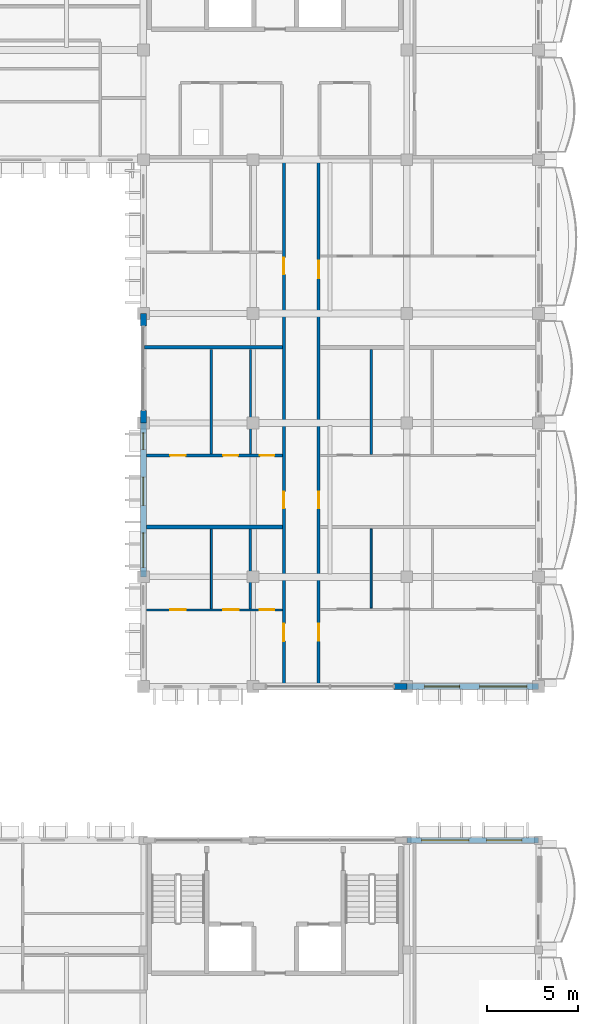
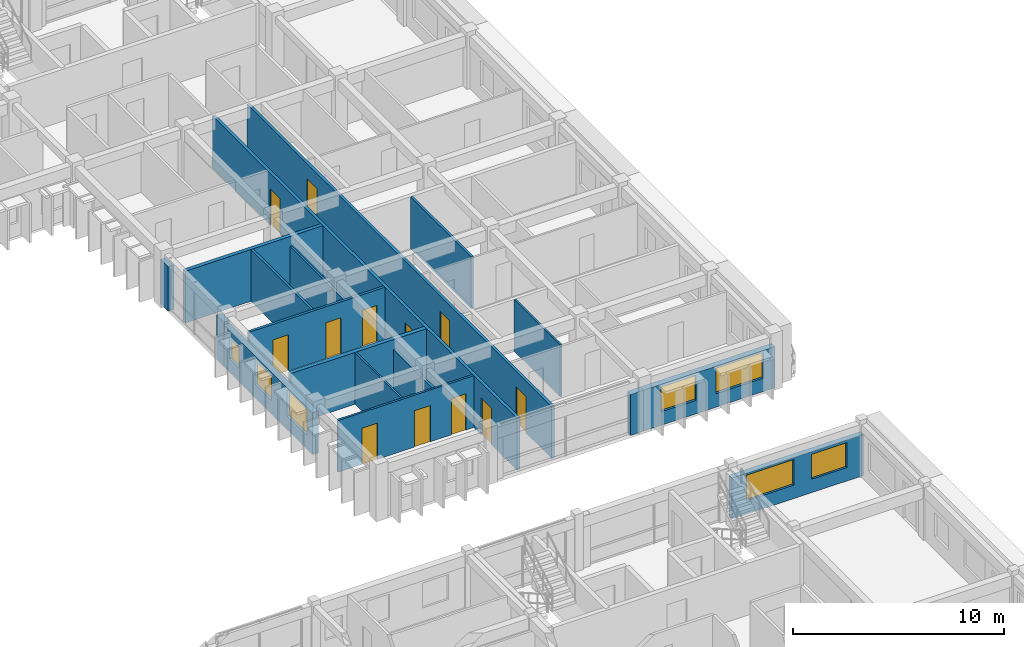
# One storey, part 43 of 76: 18 walls, 12 doors, 7 windows, 19 openings.
"""IFC4 building model written with IfcOpenShell, lengths in metres."""

from ifc_helpers import new_model, si_unit, direction, frame, frame_2d, origin, place, context, subcontext, project, spatial, rectangle, extrude, material, layer, layer_set, type_object, element, fill, save


model = new_model("IFC4")

# Units and contexts
model_context = context("Model", 3, precision=1e-05, world=origin(), true_north=direction((0.0, 1.0)))
body_context = subcontext(model_context, "Body", "Model", "MODEL_VIEW")
ifc_project = project(units=[si_unit("LENGTHUNIT", "METRE"), si_unit("AREAUNIT", "SQUARE_METRE"), si_unit("VOLUMEUNIT", "CUBIC_METRE"), si_unit("PLANEANGLEUNIT", "RADIAN"), si_unit("MASSUNIT", "GRAM", prefix="KILO"), si_unit("THERMODYNAMICTEMPERATUREUNIT", "KELVIN")], contexts=[model_context])

# Site, building, storey
site_placement = place(None, origin())
site = spatial("IfcSite", under=ifc_project, at=site_placement, CompositionType="ELEMENT")
building_placement = place(site_placement, origin())
building = spatial("IfcBuilding", under=site, at=building_placement, Name="Thalorik Housing Commons", CompositionType="ELEMENT")
storey_placement = place(building_placement, frame((0.0, 0.0, 18.0)))
storey = spatial("IfcBuildingStorey", under=building, at=storey_placement, Name="L05", CompositionType="ELEMENT", Elevation=18.0)

# Wall, openings, doors
ifc_material_1 = material(Name="Masonry fire-rated corridor wall", Category="masonry")
ifc_layer_1 = layer(ifc_material_1, 0.14990234375, Name="Masonry fire-rated corridor wall", Category="masonry")
ifc_layer_set_1 = layer_set([ifc_layer_1], Name="Masonry fire-rated corridor wall")
wall_type_1 = type_object("IfcWallType", Name="ARC-WAL-CORR-150", PredefinedType="PARTITIONING", material=ifc_layer_set_1)
wall_1_placement = place(storey_placement, frame((161.97998046875, 80.4599609375, 0.0), z_axis=(0.0, 0.0, 1.0), x_axis=(0.0, 1.0, 0.0)))
wall_1 = element("IfcWall", 1, at=wall_1_placement, inside=storey, type_object=wall_type_1, Name="L05 Block B E Corridor Wall 2", PredefinedType="PARTITIONING", context=body_context, shape_type="SweptSolid", body=[
    extrude(rectangle(XDim=28.880126953125, YDim=0.14990234375, at=frame_2d((14.43994140625, 0.0))), origin(), (0.0, 0.0, 1.0), 3.0),
])
opening_1_placement = place(wall_1_placement, frame((2.441162109375, 0.0, 0.0)))
opening_1 = element("IfcOpeningElement", 2, at=opening_1_placement, cuts=wall_1, Name="Opening ID-1218", PredefinedType="OPENING", context=body_context, shape_type="SweptSolid", body=[
    extrude(rectangle(XDim=0.919921875, YDim=2.10009765625, at=frame_2d((0.4599609375, 1.050048828125))), frame((0.0, 0.0849609375, 0.0), z_axis=(0.0, -1.0, 0.0), x_axis=(1.0, 0.0, 0.0)), (0.0, 0.0, 1.0), 0.169921875),
])
opening_2_placement = place(wall_1_placement, frame((9.6767578125, 0.0, 0.0)))
opening_2 = element("IfcOpeningElement", 3, at=opening_2_placement, cuts=wall_1, Name="Opening ID-1219", PredefinedType="OPENING", context=body_context, shape_type="SweptSolid", body=[
    extrude(rectangle(XDim=0.919921875, YDim=2.10009765625, at=frame_2d((0.4599609375, 1.050048828125))), frame((0.0, 0.0849609375, 0.0), z_axis=(0.0, -1.0, 0.0), x_axis=(1.0, 0.0, 0.0)), (0.0, 0.0, 1.0), 0.169921875),
])
opening_3_placement = place(wall_1_placement, frame((22.261962890625, 0.0, 0.0)))
opening_3 = element("IfcOpeningElement", 4, at=opening_3_placement, cuts=wall_1, Name="Opening ID-1220", PredefinedType="OPENING", context=body_context, shape_type="SweptSolid", body=[
    extrude(rectangle(XDim=0.9599609375, YDim=2.1201171875, at=frame_2d((0.47998046875, 1.06005859375))), frame((0.0, 0.0849609375, 0.0), z_axis=(0.0, -1.0, 0.0), x_axis=(1.0, 0.0, 0.0)), (0.0, 0.0, 1.0), 0.169921875),
])
ifc_material_2 = material(Name="Solid core hardwood timber", Category="wood")
door_type_1 = type_object("IfcDoorType", Name="ARC-DR-FD30-920", OperationType="NOTDEFINED", PredefinedType="DOOR", material=ifc_material_2)
door_1_placement = place(opening_1_placement, origin())
door_1 = element("IfcDoor", 5, at=door_1_placement, inside=storey, type_object=door_type_1, Name="L05 Flat BE-1B Entrance Door", OperationType="SINGLE_SWING_LEFT", OverallHeight=2.10009765625, OverallWidth=0.919921875, PredefinedType="DOOR", context=body_context, shape_type="SweptSolid", body=[
    extrude(rectangle(XDim=0.919921875, YDim=2.10009765625, at=frame_2d((0.4599609375, 1.050048828125))), frame((0.0, 0.02490234375, 0.0), z_axis=(0.0, -1.0, 0.0), x_axis=(1.0, 0.0, 0.0)), (0.0, 0.0, 1.0), 0.050048828125),
])
fill(opening_1, door_1)
door_2_placement = place(opening_2_placement, origin())
door_2 = element("IfcDoor", 6, at=door_2_placement, inside=storey, type_object=door_type_1, Name="L05 Flat BE-2B Entrance Door", OperationType="SINGLE_SWING_RIGHT", OverallHeight=2.10009765625, OverallWidth=0.919921875, PredefinedType="DOOR", context=body_context, shape_type="SweptSolid", body=[
    extrude(rectangle(XDim=0.919921875, YDim=2.10009765625, at=frame_2d((0.4599609375, 1.050048828125))), frame((0.0, 0.02490234375, 0.0), z_axis=(0.0, -1.0, 0.0), x_axis=(1.0, 0.0, 0.0)), (0.0, 0.0, 1.0), 0.050048828125),
])
fill(opening_2, door_2)
door_type_2 = type_object("IfcDoorType", Name="ARC-DR-FD30-960", OperationType="NOTDEFINED", PredefinedType="DOOR", material=ifc_material_2)
door_3_placement = place(opening_3_placement, origin())
door_3 = element("IfcDoor", 7, at=door_3_placement, inside=storey, type_object=door_type_2, Name="L05 Flat BE-3B Entrance Door", OperationType="SINGLE_SWING_LEFT", OverallHeight=2.1201171875, OverallWidth=0.9599609375, PredefinedType="DOOR", context=body_context, shape_type="SweptSolid", body=[
    extrude(rectangle(XDim=0.9599609375, YDim=2.1201171875, at=frame_2d((0.47998046875, 1.06005859375))), frame((0.0, 0.02490234375, 0.0), z_axis=(0.0, -1.0, 0.0), x_axis=(1.0, 0.0, 0.0)), (0.0, 0.0, 1.0), 0.050048828125),
])
fill(opening_3, door_3)

ifc_layer_2 = layer(ifc_material_1, 0.1650390625, Name="Masonry fire-rated corridor wall", Category="masonry")
ifc_layer_set_2 = layer_set([ifc_layer_2], Name="Masonry fire-rated corridor wall")
wall_type_2 = type_object("IfcWallType", Name="ARC-WAL-CORR-165", PredefinedType="PARTITIONING", material=ifc_layer_set_2)
wall_2_placement = place(storey_placement, frame((160.080078125, 80.4599609375, 0.0), z_axis=(0.0, 0.0, 1.0), x_axis=(0.0, 1.0, 0.0)))
wall_2 = element("IfcWall", 8, at=wall_2_placement, inside=storey, type_object=wall_type_2, Name="L05 Block B E Corridor Wall 1", PredefinedType="PARTITIONING", context=body_context, shape_type="SweptSolid", body=[
    extrude(rectangle(XDim=28.880126953125, YDim=0.1650390625, at=frame_2d((14.43994140625, 0.0))), origin(), (0.0, 0.0, 1.0), 3.0),
])
opening_4_placement = place(wall_2_placement, frame((2.41943359375, 0.0, 0.0)))
opening_4 = element("IfcOpeningElement", 9, at=opening_4_placement, cuts=wall_2, Name="Opening ID-1215", PredefinedType="OPENING", context=body_context, shape_type="SweptSolid", body=[
    extrude(rectangle(XDim=0.9599609375, YDim=2.1201171875, at=frame_2d((0.47998046875, 1.06005859375))), frame((0.0, 0.092529296875, 0.0), z_axis=(0.0, -1.0, 0.0), x_axis=(1.0, 0.0, 0.0)), (0.0, 0.0, 1.0), 0.18505859375),
])
opening_5_placement = place(wall_2_placement, frame((9.675537109375, 0.0, 0.0)))
opening_5 = element("IfcOpeningElement", 10, at=opening_5_placement, cuts=wall_2, Name="Opening ID-1216", PredefinedType="OPENING", context=body_context, shape_type="SweptSolid", body=[
    extrude(rectangle(XDim=0.919921875, YDim=2.10009765625, at=frame_2d((0.4599609375, 1.050048828125))), frame((0.0, 0.092529296875, 0.0), z_axis=(0.0, -1.0, 0.0), x_axis=(1.0, 0.0, 0.0)), (0.0, 0.0, 1.0), 0.18505859375),
])
opening_6_placement = place(wall_2_placement, frame((22.469970703125, 0.0, 0.0)))
opening_6 = element("IfcOpeningElement", 11, at=opening_6_placement, cuts=wall_2, Name="Opening ID-1217", PredefinedType="OPENING", context=body_context, shape_type="SweptSolid", body=[
    extrude(rectangle(XDim=0.919921875, YDim=2.10009765625, at=frame_2d((0.4599609375, 1.050048828125))), frame((0.0, 0.092529296875, 0.0), z_axis=(0.0, -1.0, 0.0), x_axis=(1.0, 0.0, 0.0)), (0.0, 0.0, 1.0), 0.18505859375),
])
door_4_placement = place(opening_5_placement, origin())
door_4 = element("IfcDoor", 12, at=door_4_placement, inside=storey, type_object=door_type_1, Name="L05 Flat BE-2A Entrance Door", OperationType="SINGLE_SWING_LEFT", OverallHeight=2.10009765625, OverallWidth=0.919921875, PredefinedType="DOOR", context=body_context, shape_type="SweptSolid", body=[
    extrude(rectangle(XDim=0.919921875, YDim=2.10009765625, at=frame_2d((0.4599609375, 1.050048828125))), frame((0.0, 0.02490234375, 0.0), z_axis=(0.0, -1.0, 0.0), x_axis=(1.0, 0.0, 0.0)), (0.0, 0.0, 1.0), 0.050048828125),
])
fill(opening_5, door_4)
door_5_placement = place(opening_6_placement, origin())
door_5 = element("IfcDoor", 13, at=door_5_placement, inside=storey, type_object=door_type_1, Name="L05 Flat BE-3A Entrance Door", OperationType="SINGLE_SWING_RIGHT", OverallHeight=2.10009765625, OverallWidth=0.919921875, PredefinedType="DOOR", context=body_context, shape_type="SweptSolid", body=[
    extrude(rectangle(XDim=0.919921875, YDim=2.10009765625, at=frame_2d((0.4599609375, 1.050048828125))), frame((0.0, 0.02490234375, 0.0), z_axis=(0.0, -1.0, 0.0), x_axis=(1.0, 0.0, 0.0)), (0.0, 0.0, 1.0), 0.050048828125),
])
fill(opening_6, door_5)
door_6_placement = place(opening_4_placement, origin())
door_6 = element("IfcDoor", 14, at=door_6_placement, inside=storey, type_object=door_type_2, Name="L05 Flat BE-1A Entrance Door", OperationType="SINGLE_SWING_RIGHT", OverallHeight=2.1201171875, OverallWidth=0.9599609375, PredefinedType="DOOR", context=body_context, shape_type="SweptSolid", body=[
    extrude(rectangle(XDim=0.9599609375, YDim=2.1201171875, at=frame_2d((0.47998046875, 1.06005859375))), frame((0.0, 0.02490234375, 0.0), z_axis=(0.0, -1.0, 0.0), x_axis=(1.0, 0.0, 0.0)), (0.0, 0.0, 1.0), 0.050048828125),
])
fill(opening_4, door_6)

# Wall, openings, windows
ifc_material_3 = material(Name="White precast concrete C40/50", Category="concrete")
ifc_layer_3 = layer(ifc_material_3, 0.2900390625, Name="White precast concrete C40/50", Category="concrete")
ifc_layer_set_3 = layer_set([ifc_layer_3], Name="White precast concrete C40/50")
wall_type_3 = type_object("IfcWallType", Name="ARC-WAL-EXT-290", PredefinedType="STANDARD", material=ifc_layer_set_3)
wall_3_placement = place(storey_placement, frame((174.0, 72.0, 0.0), z_axis=(0.0, 0.0, 1.0), x_axis=(-1.0, 0.0, 0.0)))
wall_3 = element("IfcWall", 15, at=wall_3_placement, inside=storey, type_object=wall_type_3, Name="L05 Exterior Wall WAL-EXT-L05-D-1222", PredefinedType="STANDARD", context=body_context, shape_type="SweptSolid", body=[
    extrude(rectangle(XDim=7.199951171875, YDim=0.2900390625, at=frame_2d((3.60009765625, 0.0))), origin(), (0.0, 0.0, 1.0), 2.375),
])
opening_7_placement = place(wall_3_placement, frame((0.91259765625, 0.0, 0.780029296875)))
opening_7 = element("IfcOpeningElement", 16, at=opening_7_placement, cuts=wall_3, Name="Opening W-60", PredefinedType="OPENING", context=body_context, shape_type="SweptSolid", body=[
    extrude(rectangle(XDim=1.919921875, YDim=1.43994140625, at=frame_2d((0.9599609375, 0.719970703125))), frame((0.0, 0.155029296875, 0.0), z_axis=(0.0, -1.0, 0.0), x_axis=(1.0, 0.0, 0.0)), (0.0, 0.0, 1.0), 0.31005859375),
])
opening_8_placement = place(wall_3_placement, frame((3.8076171875, 0.0, 0.780029296875)))
opening_8 = element("IfcOpeningElement", 17, at=opening_8_placement, cuts=wall_3, Name="Opening W-73", PredefinedType="OPENING", context=body_context, shape_type="SweptSolid", body=[
    extrude(rectangle(XDim=2.580078125, YDim=1.47998046875, at=frame_2d((1.2900390625, 0.739990234375))), frame((0.0, 0.155029296875, 0.0), z_axis=(0.0, -1.0, 0.0), x_axis=(1.0, 0.0, 0.0)), (0.0, 0.0, 1.0), 0.31005859375),
])
ifc_material_4 = material(Name="Anodised aluminium and solar-control low-E glass", Category="aluminium")
window_type_1 = type_object("IfcWindowType", Name="ARC-WIN-60", PartitioningType="DOUBLE_PANEL_VERTICAL", PredefinedType="WINDOW", material=ifc_material_4)
window_1_placement = place(opening_7_placement, origin())
window_1 = element("IfcWindow", 18, at=window_1_placement, inside=storey, type_object=window_type_1, Name="L05 Facade Window 2231", OverallHeight=1.43994140625, OverallWidth=1.919921875, PartitioningType="DOUBLE_PANEL_VERTICAL", PredefinedType="WINDOW", context=body_context, shape_type="SweptSolid", body=[
    extrude(rectangle(XDim=1.919921875, YDim=1.43994140625, at=frame_2d((0.9599609375, 0.719970703125))), frame((0.0, 0.030029296875, 0.0), z_axis=(0.0, -1.0, 0.0), x_axis=(1.0, 0.0, 0.0)), (0.0, 0.0, 1.0), 0.06005859375),
])
fill(opening_7, window_1)
window_type_2 = type_object("IfcWindowType", Name="ARC-WIN-73", PartitioningType="DOUBLE_PANEL_VERTICAL", PredefinedType="WINDOW", material=ifc_material_4)
window_2_placement = place(opening_8_placement, origin())
window_2 = element("IfcWindow", 19, at=window_2_placement, inside=storey, type_object=window_type_2, Name="L05 Facade Window 2232", OverallHeight=1.47998046875, OverallWidth=2.580078125, PartitioningType="DOUBLE_PANEL_VERTICAL", PredefinedType="WINDOW", context=body_context, shape_type="SweptSolid", body=[
    extrude(rectangle(XDim=2.580078125, YDim=1.47998046875, at=frame_2d((1.2900390625, 0.739990234375))), frame((0.0, 0.030029296875, 0.0), z_axis=(0.0, -1.0, 0.0), x_axis=(1.0, 0.0, 0.0)), (0.0, 0.0, 1.0), 0.06005859375),
])
fill(opening_8, window_2)

# Walls
ifc_layer_4 = layer(ifc_material_3, 0.320068359375, Name="White precast concrete C40/50", Category="concrete")
ifc_layer_set_4 = layer_set([ifc_layer_4], Name="White precast concrete C40/50")
wall_type_4 = type_object("IfcWallType", Name="ARC-WAL-EXT-320", PredefinedType="STANDARD", material=ifc_layer_set_4)
for number, where, z_axis, x_axis, name in (
    (20, (152.39990234375, 100.800048828125, 0.0), (0.0, 0.0, 1.0), (0.0, -1.0, 0.0), "L05 Exterior Wall WAL-PIERL-L05-B-0587"),
    (21, (152.39990234375, 95.5, 0.0), (0.0, 0.0, 1.0), (0.0, -1.0, 0.0), "L05 Exterior Wall WAL-PIERR-L05-B-0587"),
):
    element("IfcWall", number, at=place(storey_placement, frame(where, z_axis=z_axis, x_axis=x_axis)), inside=storey, type_object=wall_type_4, Name=name, PredefinedType="STANDARD", context=body_context, shape_type="SweptSolid", body=[
        extrude(rectangle(XDim=0.699951171875, YDim=0.320068359375, at=frame_2d((0.35009765625, 0.0))), origin(), (0.0, 0.0, 1.0), 2.574951171875),
    ])

# Wall, openings, windows
wall_4_placement = place(storey_placement, frame((152.39990234375, 94.800048828125, 0.0), z_axis=(0.0, 0.0, 1.0), x_axis=(0.0, -1.0, 0.0)))
wall_4 = element("IfcWall", 22, at=wall_4_placement, inside=storey, type_object=wall_type_4, Name="L05 Exterior Wall WAL-EXT-L05-B-0588", PredefinedType="STANDARD", context=body_context, shape_type="SweptSolid", body=[
    extrude(rectangle(XDim=8.400146484375, YDim=0.320068359375, at=frame_2d((4.2001953125, 0.0))), origin(), (0.0, 0.0, 1.0), 2.425048828125),
])
opening_9_placement = place(wall_4_placement, frame((0.530029296875, 0.0, 0.780029296875)))
opening_9 = element("IfcOpeningElement", 23, at=opening_9_placement, cuts=wall_4, Name="Opening W-01", PredefinedType="OPENING", context=body_context, shape_type="SweptSolid", body=[
    extrude(rectangle(XDim=0.89990234375, YDim=1.199951171875, at=frame_2d((0.449951171875, 0.60009765625))), frame((0.0, 0.169921875, 0.0), z_axis=(0.0, -1.0, 0.0), x_axis=(1.0, 0.0, 0.0)), (0.0, 0.0, 1.0), 0.340087890625),
])
opening_10_placement = place(wall_4_placement, frame((2.949951171875, 0.0, 0.780029296875)))
opening_10 = element("IfcOpeningElement", 24, at=opening_10_placement, cuts=wall_4, Name="Opening W-12", PredefinedType="OPENING", context=body_context, shape_type="SweptSolid", body=[
    extrude(rectangle(XDim=1.550048828125, YDim=1.39990234375, at=frame_2d((0.77490234375, 0.699951171875))), frame((0.0, 0.169921875, 0.0), z_axis=(0.0, -1.0, 0.0), x_axis=(1.0, 0.0, 0.0)), (0.0, 0.0, 1.0), 0.340087890625),
])
opening_11_placement = place(wall_4_placement, frame((6.0048828125, 0.0, 0.780029296875)))
opening_11 = element("IfcOpeningElement", 25, at=opening_11_placement, cuts=wall_4, Name="Opening W-59", PredefinedType="OPENING", context=body_context, shape_type="SweptSolid", body=[
    extrude(rectangle(XDim=1.8798828125, YDim=1.52001953125, at=frame_2d((0.93994140625, 0.760009765625))), frame((0.0, 0.169921875, 0.0), z_axis=(0.0, -1.0, 0.0), x_axis=(1.0, 0.0, 0.0)), (0.0, 0.0, 1.0), 0.340087890625),
])
window_type_3 = type_object("IfcWindowType", Name="ARC-WIN-01", PartitioningType="SINGLE_PANEL", PredefinedType="WINDOW", material=ifc_material_4)
window_3_placement = place(opening_9_placement, origin())
window_3 = element("IfcWindow", 26, at=window_3_placement, inside=storey, type_object=window_type_3, Name="L05 Facade Window 1067", OverallHeight=1.199951171875, OverallWidth=0.89990234375, PartitioningType="SINGLE_PANEL", PredefinedType="WINDOW", context=body_context, shape_type="SweptSolid", body=[
    extrude(rectangle(XDim=0.89990234375, YDim=1.199951171875, at=frame_2d((0.449951171875, 0.60009765625))), frame((0.0, 0.030029296875, 0.0), z_axis=(0.0, -1.0, 0.0), x_axis=(1.0, 0.0, 0.0)), (0.0, 0.0, 1.0), 0.06005859375),
])
fill(opening_9, window_3)
window_type_4 = type_object("IfcWindowType", Name="ARC-WIN-12", PartitioningType="SINGLE_PANEL", PredefinedType="WINDOW", material=ifc_material_4)
window_4_placement = place(opening_10_placement, origin())
window_4 = element("IfcWindow", 27, at=window_4_placement, inside=storey, type_object=window_type_4, Name="L05 Facade Window 1068", OverallHeight=1.39990234375, OverallWidth=1.550048828125, PartitioningType="SINGLE_PANEL", PredefinedType="WINDOW", context=body_context, shape_type="SweptSolid", body=[
    extrude(rectangle(XDim=1.550048828125, YDim=1.39990234375, at=frame_2d((0.77490234375, 0.699951171875))), frame((0.0, 0.030029296875, 0.0), z_axis=(0.0, -1.0, 0.0), x_axis=(1.0, 0.0, 0.0)), (0.0, 0.0, 1.0), 0.06005859375),
])
fill(opening_10, window_4)
window_type_5 = type_object("IfcWindowType", Name="ARC-WIN-59", PartitioningType="DOUBLE_PANEL_VERTICAL", PredefinedType="WINDOW", material=ifc_material_4)
window_5_placement = place(opening_11_placement, origin())
window_5 = element("IfcWindow", 28, at=window_5_placement, inside=storey, type_object=window_type_5, Name="L05 Facade Window 1069", OverallHeight=1.52001953125, OverallWidth=1.8798828125, PartitioningType="DOUBLE_PANEL_VERTICAL", PredefinedType="WINDOW", context=body_context, shape_type="SweptSolid", body=[
    extrude(rectangle(XDim=1.8798828125, YDim=1.52001953125, at=frame_2d((0.93994140625, 0.760009765625))), frame((0.0, 0.030029296875, 0.0), z_axis=(0.0, -1.0, 0.0), x_axis=(1.0, 0.0, 0.0)), (0.0, 0.0, 1.0), 0.06005859375),
])
fill(opening_11, window_5)

# Wall
wall_5_placement = place(storey_placement, frame((166.10009765625, 80.39990234375, 0.0), z_axis=(0.0, 0.0, 1.0), x_axis=(1.0, 0.0, 0.0)))
element("IfcWall", 29, at=wall_5_placement, inside=storey, type_object=wall_type_4, Name="L05 Exterior Wall WAL-PIERR-L05-B-0591", PredefinedType="STANDARD", context=body_context, shape_type="SweptSolid", body=[
    extrude(rectangle(XDim=0.699951171875, YDim=0.320068359375, at=frame_2d((0.35009765625, 0.0))), origin(), (0.0, 0.0, 1.0), 2.375),
])

# Wall, openings, windows
wall_6_placement = place(storey_placement, frame((166.800048828125, 80.39990234375, 0.0), z_axis=(0.0, 0.0, 1.0), x_axis=(1.0, 0.0, 0.0)))
wall_6 = element("IfcWall", 30, at=wall_6_placement, inside=storey, type_object=wall_type_4, Name="L05 Exterior Wall WAL-EXT-L05-B-0592", PredefinedType="STANDARD", context=body_context, shape_type="SweptSolid", body=[
    extrude(rectangle(XDim=7.199951171875, YDim=0.320068359375, at=frame_2d((3.60009765625, 0.0))), origin(), (0.0, 0.0, 1.0), 2.375),
])
opening_12_placement = place(wall_6_placement, frame((0.969970703125, 0.0, 0.780029296875)))
opening_12 = element("IfcOpeningElement", 31, at=opening_12_placement, cuts=wall_6, Name="Opening W-60", PredefinedType="OPENING", context=body_context, shape_type="SweptSolid", body=[
    extrude(rectangle(XDim=1.919921875, YDim=1.43994140625, at=frame_2d((0.9599609375, 0.719970703125))), frame((0.0, 0.169921875, 0.0), z_axis=(0.0, -1.0, 0.0), x_axis=(1.0, 0.0, 0.0)), (0.0, 0.0, 1.0), 0.340087890625),
])
opening_13_placement = place(wall_6_placement, frame((3.97998046875, 0.0, 0.780029296875)))
opening_13 = element("IfcOpeningElement", 32, at=opening_13_placement, cuts=wall_6, Name="Opening W-73", PredefinedType="OPENING", context=body_context, shape_type="SweptSolid", body=[
    extrude(rectangle(XDim=2.580078125, YDim=1.47998046875, at=frame_2d((1.2900390625, 0.739990234375))), frame((0.0, 0.169921875, 0.0), z_axis=(0.0, -1.0, 0.0), x_axis=(1.0, 0.0, 0.0)), (0.0, 0.0, 1.0), 0.340087890625),
])
window_6_placement = place(opening_12_placement, origin())
window_6 = element("IfcWindow", 33, at=window_6_placement, inside=storey, type_object=window_type_1, Name="L05 Facade Window 1074", OverallHeight=1.43994140625, OverallWidth=1.919921875, PartitioningType="DOUBLE_PANEL_VERTICAL", PredefinedType="WINDOW", context=body_context, shape_type="SweptSolid", body=[
    extrude(rectangle(XDim=1.919921875, YDim=1.43994140625, at=frame_2d((0.9599609375, 0.719970703125))), frame((0.0, 0.030029296875, 0.0), z_axis=(0.0, -1.0, 0.0), x_axis=(1.0, 0.0, 0.0)), (0.0, 0.0, 1.0), 0.06005859375),
])
fill(opening_12, window_6)
window_7_placement = place(opening_13_placement, origin())
window_7 = element("IfcWindow", 34, at=window_7_placement, inside=storey, type_object=window_type_2, Name="L05 Facade Window 1075", OverallHeight=1.47998046875, OverallWidth=2.580078125, PartitioningType="DOUBLE_PANEL_VERTICAL", PredefinedType="WINDOW", context=body_context, shape_type="SweptSolid", body=[
    extrude(rectangle(XDim=2.580078125, YDim=1.47998046875, at=frame_2d((1.2900390625, 0.739990234375))), frame((0.0, 0.030029296875, 0.0), z_axis=(0.0, -1.0, 0.0), x_axis=(1.0, 0.0, 0.0)), (0.0, 0.0, 1.0), 0.06005859375),
])
fill(opening_13, window_7)

# Walls
ifc_material_5 = material(Name="Gypsum light stud partition", Category="masonry")
ifc_layer_5 = layer(ifc_material_5, 0.10009765625, Name="Gypsum light stud partition", Category="masonry")
ifc_layer_set_5 = layer_set([ifc_layer_5], Name="Gypsum light stud partition")
wall_type_5 = type_object("IfcWallType", Name="ARC-WAL-PART-100", PredefinedType="PARTITIONING", material=ifc_layer_set_5)
wall_7_placement = place(storey_placement, frame((156.11767578125, 84.6494140625, 0.0), z_axis=(0.0, 0.0, 1.0), x_axis=(0.0, 1.0, 0.0)))
element("IfcWall", 35, at=wall_7_placement, inside=storey, type_object=wall_type_5, Name="L05 Unit 1 Bedroom Partition", PredefinedType="PARTITIONING", context=body_context, shape_type="SweptSolid", body=[
    extrude(rectangle(XDim=4.358642578125, YDim=0.10009765625, at=frame_2d((2.17919921875, 0.0))), origin(), (0.0, 0.0, 1.0), 3.0),
])
wall_8_placement = place(storey_placement, frame((164.850341796875, 84.681396484375, 0.0), z_axis=(0.0, 0.0, 1.0), x_axis=(0.0, 1.0, 0.0)))
element("IfcWall", 36, at=wall_8_placement, inside=storey, type_object=wall_type_5, Name="L05 Unit 1B Wet Wall", PredefinedType="PARTITIONING", context=body_context, shape_type="SweptSolid", body=[
    extrude(rectangle(XDim=4.343994140625, YDim=0.10009765625, at=frame_2d((2.171875, 0.0))), origin(), (0.0, 0.0, 1.0), 3.0),
])

# Wall, openings, doors
ifc_material_6 = material(Name="Gypsum moisture-resistant partition", Category="masonry")
ifc_layer_6 = layer(ifc_material_6, 0.114990234375, Name="Gypsum moisture-resistant partition", Category="masonry")
ifc_layer_set_6 = layer_set([ifc_layer_6], Name="Gypsum moisture-resistant partition")
wall_type_6 = type_object("IfcWallType", Name="ARC-WAL-PART-115", PredefinedType="PARTITIONING", material=ifc_layer_set_6)
wall_9_placement = place(storey_placement, frame((152.56201171875, 84.590087890625, 0.0), z_axis=(0.0, 0.0, 1.0), x_axis=(1.0, 0.0, 0.0)))
wall_9 = element("IfcWall", 37, at=wall_9_placement, inside=storey, type_object=wall_type_6, Name="L05 Unit 1 Spine Partition", PredefinedType="PARTITIONING", context=body_context, shape_type="SweptSolid", body=[
    extrude(rectangle(XDim=7.43359375, YDim=0.114990234375, at=frame_2d((3.716796875, 0.0))), origin(), (0.0, 0.0, 1.0), 3.0),
])
opening_14_placement = place(wall_9_placement, frame((1.3017578125, 0.0, 0.0)))
opening_14 = element("IfcOpeningElement", 38, at=opening_14_placement, cuts=wall_9, Name="Opening ID-1197", PredefinedType="OPENING", context=body_context, shape_type="SweptSolid", body=[
    extrude(rectangle(XDim=0.85009765625, YDim=2.10009765625, at=frame_2d((0.425048828125, 1.050048828125))), frame((0.0, 0.0673828125, 0.0), z_axis=(0.0, -1.0, 0.0), x_axis=(1.0, 0.0, 0.0)), (0.0, 0.0, 1.0), 0.135009765625),
])
opening_15_placement = place(wall_9_placement, frame((4.197509765625, 0.0, 0.0)))
opening_15 = element("IfcOpeningElement", 39, at=opening_15_placement, cuts=wall_9, Name="Opening ID-1198", PredefinedType="OPENING", context=body_context, shape_type="SweptSolid", body=[
    extrude(rectangle(XDim=0.85009765625, YDim=2.10009765625, at=frame_2d((0.425048828125, 1.050048828125))), frame((0.0, 0.0673828125, 0.0), z_axis=(0.0, -1.0, 0.0), x_axis=(1.0, 0.0, 0.0)), (0.0, 0.0, 1.0), 0.135009765625),
])
opening_16_placement = place(wall_9_placement, frame((6.20361328125, 0.0, 0.0)))
opening_16 = element("IfcOpeningElement", 40, at=opening_16_placement, cuts=wall_9, Name="Opening ID-1199", PredefinedType="OPENING", context=body_context, shape_type="SweptSolid", body=[
    extrude(rectangle(XDim=0.800048828125, YDim=2.10009765625, at=frame_2d((0.39990234375, 1.050048828125))), frame((0.0, 0.0673828125, 0.0), z_axis=(0.0, -1.0, 0.0), x_axis=(1.0, 0.0, 0.0)), (0.0, 0.0, 1.0), 0.135009765625),
])
ifc_material_7 = material(Name="Moisture-resistant timber", Category="wood")
door_type_3 = type_object("IfcDoorType", Name="ARC-DR-INT-800", OperationType="NOTDEFINED", PredefinedType="DOOR", material=ifc_material_7)
door_7_placement = place(opening_16_placement, origin())
door_7 = element("IfcDoor", 41, at=door_7_placement, inside=storey, type_object=door_type_3, Name="L05 Flat Bathroom Door", OperationType="SINGLE_SWING_RIGHT", OverallHeight=2.10009765625, OverallWidth=0.800048828125, PredefinedType="DOOR", context=body_context, shape_type="SweptSolid", body=[
    extrude(rectangle(XDim=0.800048828125, YDim=2.10009765625, at=frame_2d((0.39990234375, 1.050048828125))), frame((0.0, 0.02490234375, 0.0), z_axis=(0.0, -1.0, 0.0), x_axis=(1.0, 0.0, 0.0)), (0.0, 0.0, 1.0), 0.050048828125),
])
fill(opening_16, door_7)
ifc_material_8 = material(Name="Engineered oak timber", Category="wood")
door_type_4 = type_object("IfcDoorType", Name="ARC-DR-INT-850", OperationType="NOTDEFINED", PredefinedType="DOOR", material=ifc_material_8)
door_8_placement = place(opening_14_placement, origin())
door_8 = element("IfcDoor", 42, at=door_8_placement, inside=storey, type_object=door_type_4, Name="L05 Master Bedroom Door", OperationType="SINGLE_SWING_RIGHT", OverallHeight=2.10009765625, OverallWidth=0.85009765625, PredefinedType="DOOR", context=body_context, shape_type="SweptSolid", body=[
    extrude(rectangle(XDim=0.85009765625, YDim=2.10009765625, at=frame_2d((0.425048828125, 1.050048828125))), frame((0.0, 0.02490234375, 0.0), z_axis=(0.0, -1.0, 0.0), x_axis=(1.0, 0.0, 0.0)), (0.0, 0.0, 1.0), 0.050048828125),
])
fill(opening_14, door_8)
door_9_placement = place(opening_15_placement, origin())
door_9 = element("IfcDoor", 43, at=door_9_placement, inside=storey, type_object=door_type_4, Name="L05 Eat-In Kitchen Door", OperationType="SINGLE_SWING_LEFT", OverallHeight=2.10009765625, OverallWidth=0.85009765625, PredefinedType="DOOR", context=body_context, shape_type="SweptSolid", body=[
    extrude(rectangle(XDim=0.85009765625, YDim=2.10009765625, at=frame_2d((0.425048828125, 1.050048828125))), frame((0.0, 0.02490234375, 0.0), z_axis=(0.0, -1.0, 0.0), x_axis=(1.0, 0.0, 0.0)), (0.0, 0.0, 1.0), 0.050048828125),
])
fill(opening_15, door_9)

# Walls
wall_10_placement = place(storey_placement, frame((158.251220703125, 93.10205078125, 0.0), z_axis=(0.0, 0.0, 1.0), x_axis=(0.0, 1.0, 0.0)))
element("IfcWall", 44, at=wall_10_placement, inside=storey, type_object=wall_type_6, Name="L05 Unit 2 Wet Wall", PredefinedType="PARTITIONING", context=body_context, shape_type="SweptSolid", body=[
    extrude(rectangle(XDim=5.73583984375, YDim=0.114990234375, at=frame_2d((2.867919921875, 0.0))), origin(), (0.0, 0.0, 1.0), 2.425048828125),
])
ifc_material_9 = material(Name="Gypsum acoustic stud partition", Category="masonry")
ifc_layer_7 = layer(ifc_material_9, 0.125, Name="Gypsum acoustic stud partition", Category="masonry")
ifc_layer_set_7 = layer_set([ifc_layer_7], Name="Gypsum acoustic stud partition")
wall_type_7 = type_object("IfcWallType", Name="ARC-WAL-PART-125", PredefinedType="PARTITIONING", material=ifc_layer_set_7)
wall_11_placement = place(storey_placement, frame((156.11767578125, 93.10205078125, 0.0), z_axis=(0.0, 0.0, 1.0), x_axis=(0.0, 1.0, 0.0)))
element("IfcWall", 45, at=wall_11_placement, inside=storey, type_object=wall_type_7, Name="L05 Unit 2 Bedroom Partition", PredefinedType="PARTITIONING", context=body_context, shape_type="SweptSolid", body=[
    extrude(rectangle(XDim=5.73583984375, YDim=0.125, at=frame_2d((2.867919921875, 0.0))), origin(), (0.0, 0.0, 1.0), 3.0),
])
wall_12_placement = place(storey_placement, frame((164.850341796875, 93.085693359375, 0.0), z_axis=(0.0, 0.0, 1.0), x_axis=(0.0, 1.0, 0.0)))
element("IfcWall", 46, at=wall_12_placement, inside=storey, type_object=wall_type_7, Name="L05 Unit 2B Wet Wall", PredefinedType="PARTITIONING", context=body_context, shape_type="SweptSolid", body=[
    extrude(rectangle(XDim=5.7421875, YDim=0.125, at=frame_2d((2.87109375, 0.0))), origin(), (0.0, 0.0, 1.0), 3.0),
])
ifc_material_10 = material(Name="Ceramic masonry partition wall", Category="masonry")
ifc_layer_8 = layer(ifc_material_10, 0.139892578125, Name="Ceramic masonry partition wall", Category="masonry")
ifc_layer_set_8 = layer_set([ifc_layer_8], Name="Ceramic masonry partition wall")
wall_type_8 = type_object("IfcWallType", Name="ARC-WAL-PART-140", PredefinedType="PARTITIONING", material=ifc_layer_set_8)
wall_13_placement = place(storey_placement, frame((158.251220703125, 84.6494140625, 0.0), z_axis=(0.0, 0.0, 1.0), x_axis=(0.0, 1.0, 0.0)))
element("IfcWall", 47, at=wall_13_placement, inside=storey, type_object=wall_type_8, Name="L05 Unit 1 Wet Wall", PredefinedType="PARTITIONING", context=body_context, shape_type="SweptSolid", body=[
    extrude(rectangle(XDim=4.358642578125, YDim=0.139892578125, at=frame_2d((2.17919921875, 0.0))), origin(), (0.0, 0.0, 1.0), 2.425048828125),
])

# Wall, openings, doors
wall_14_placement = place(storey_placement, frame((152.56201171875, 93.030029296875, 0.0), z_axis=(0.0, 0.0, 1.0), x_axis=(1.0, 0.0, 0.0)))
wall_14 = element("IfcWall", 48, at=wall_14_placement, inside=storey, type_object=wall_type_8, Name="L05 Unit 2 Spine Partition", PredefinedType="PARTITIONING", context=body_context, shape_type="SweptSolid", body=[
    extrude(rectangle(XDim=7.43359375, YDim=0.139892578125, at=frame_2d((3.716796875, 0.0))), origin(), (0.0, 0.0, 1.0), 3.0),
])
opening_17_placement = place(wall_14_placement, frame((1.3017578125, 0.0, 0.0)))
opening_17 = element("IfcOpeningElement", 49, at=opening_17_placement, cuts=wall_14, Name="Opening ID-1203", PredefinedType="OPENING", context=body_context, shape_type="SweptSolid", body=[
    extrude(rectangle(XDim=0.85009765625, YDim=2.10009765625, at=frame_2d((0.425048828125, 1.050048828125))), frame((0.0, 0.080078125, 0.0), z_axis=(0.0, -1.0, 0.0), x_axis=(1.0, 0.0, 0.0)), (0.0, 0.0, 1.0), 0.159912109375),
])
opening_18_placement = place(wall_14_placement, frame((4.197509765625, 0.0, 0.0)))
opening_18 = element("IfcOpeningElement", 50, at=opening_18_placement, cuts=wall_14, Name="Opening ID-1204", PredefinedType="OPENING", context=body_context, shape_type="SweptSolid", body=[
    extrude(rectangle(XDim=0.820068359375, YDim=2.080078125, at=frame_2d((0.41015625, 1.0400390625))), frame((0.0, 0.080078125, 0.0), z_axis=(0.0, -1.0, 0.0), x_axis=(1.0, 0.0, 0.0)), (0.0, 0.0, 1.0), 0.159912109375),
])
opening_19_placement = place(wall_14_placement, frame((6.20361328125, 0.0, 0.0)))
opening_19 = element("IfcOpeningElement", 51, at=opening_19_placement, cuts=wall_14, Name="Opening ID-1205", PredefinedType="OPENING", context=body_context, shape_type="SweptSolid", body=[
    extrude(rectangle(XDim=0.800048828125, YDim=2.10009765625, at=frame_2d((0.39990234375, 1.050048828125))), frame((0.0, 0.080078125, 0.0), z_axis=(0.0, -1.0, 0.0), x_axis=(1.0, 0.0, 0.0)), (0.0, 0.0, 1.0), 0.159912109375),
])
door_10_placement = place(opening_19_placement, origin())
door_10 = element("IfcDoor", 52, at=door_10_placement, inside=storey, type_object=door_type_3, Name="L05 Accessible Bathroom Door", OperationType="SINGLE_SWING_RIGHT", OverallHeight=2.10009765625, OverallWidth=0.800048828125, PredefinedType="DOOR", context=body_context, shape_type="SweptSolid", body=[
    extrude(rectangle(XDim=0.800048828125, YDim=2.10009765625, at=frame_2d((0.39990234375, 1.050048828125))), frame((0.0, 0.02490234375, 0.0), z_axis=(0.0, -1.0, 0.0), x_axis=(1.0, 0.0, 0.0)), (0.0, 0.0, 1.0), 0.050048828125),
])
fill(opening_19, door_10)
door_type_5 = type_object("IfcDoorType", Name="ARC-DR-INT-820", OperationType="NOTDEFINED", PredefinedType="DOOR", material=ifc_material_8)
door_11_placement = place(opening_18_placement, origin())
door_11 = element("IfcDoor", 53, at=door_11_placement, inside=storey, type_object=door_type_5, Name="L05 Eat-In Kitchen Door", OperationType="SINGLE_SWING_LEFT", OverallHeight=2.080078125, OverallWidth=0.820068359375, PredefinedType="DOOR", context=body_context, shape_type="SweptSolid", body=[
    extrude(rectangle(XDim=0.820068359375, YDim=2.080078125, at=frame_2d((0.41015625, 1.0400390625))), frame((0.0, 0.02490234375, 0.0), z_axis=(0.0, -1.0, 0.0), x_axis=(1.0, 0.0, 0.0)), (0.0, 0.0, 1.0), 0.050048828125),
])
fill(opening_18, door_11)
door_12_placement = place(opening_17_placement, origin())
door_12 = element("IfcDoor", 54, at=door_12_placement, inside=storey, type_object=door_type_4, Name="L05 Double Bedroom Door", OperationType="SINGLE_SWING_RIGHT", OverallHeight=2.10009765625, OverallWidth=0.85009765625, PredefinedType="DOOR", context=body_context, shape_type="SweptSolid", body=[
    extrude(rectangle(XDim=0.85009765625, YDim=2.10009765625, at=frame_2d((0.425048828125, 1.050048828125))), frame((0.0, 0.02490234375, 0.0), z_axis=(0.0, -1.0, 0.0), x_axis=(1.0, 0.0, 0.0)), (0.0, 0.0, 1.0), 0.050048828125),
])
fill(opening_17, door_12)

# Walls
ifc_material_11 = material(Name="Precast concrete C40/50 acoustic wall", Category="concrete")
ifc_layer_9 = layer(ifc_material_11, 0.199951171875, Name="Precast concrete C40/50 acoustic wall", Category="concrete")
ifc_layer_set_9 = layer_set([ifc_layer_9], Name="Precast concrete C40/50 acoustic wall")
wall_type_9 = type_object("IfcWallType", Name="ARC-WAL-PARTY-200", PredefinedType="PARTITIONING", material=ifc_layer_set_9)
wall_15_placement = place(storey_placement, frame((152.4599609375, 98.93994140625, 0.0), z_axis=(0.0, 0.0, 1.0), x_axis=(1.0, 0.0, 0.0)))
element("IfcWall", 55, at=wall_15_placement, inside=storey, type_object=wall_type_9, Name="L05 Inter-Tenancy Wall 2A", PredefinedType="PARTITIONING", context=body_context, shape_type="SweptSolid", body=[
    extrude(rectangle(XDim=7.53564453125, YDim=0.199951171875, at=frame_2d((3.767822265625, 0.0))), origin(), (0.0, 0.0, 1.0), 3.0),
])
ifc_layer_10 = layer(ifc_material_11, 0.219970703125, Name="Precast concrete C40/50 acoustic wall", Category="concrete")
ifc_layer_set_10 = layer_set([ifc_layer_10], Name="Precast concrete C40/50 acoustic wall")
wall_type_10 = type_object("IfcWallType", Name="ARC-WAL-PARTY-220", PredefinedType="PARTITIONING", material=ifc_layer_set_10)
wall_16_placement = place(storey_placement, frame((152.56201171875, 89.1201171875, 0.0), z_axis=(0.0, 0.0, 1.0), x_axis=(1.0, 0.0, 0.0)))
element("IfcWall", 56, at=wall_16_placement, inside=storey, type_object=wall_type_10, Name="L05 Inter-Tenancy Wall 1A", PredefinedType="PARTITIONING", context=body_context, shape_type="SweptSolid", body=[
    extrude(rectangle(XDim=7.43359375, YDim=0.219970703125, at=frame_2d((3.716796875, 0.0))), origin(), (0.0, 0.0, 1.0), 3.0),
])

save(model, "model.ifc")
